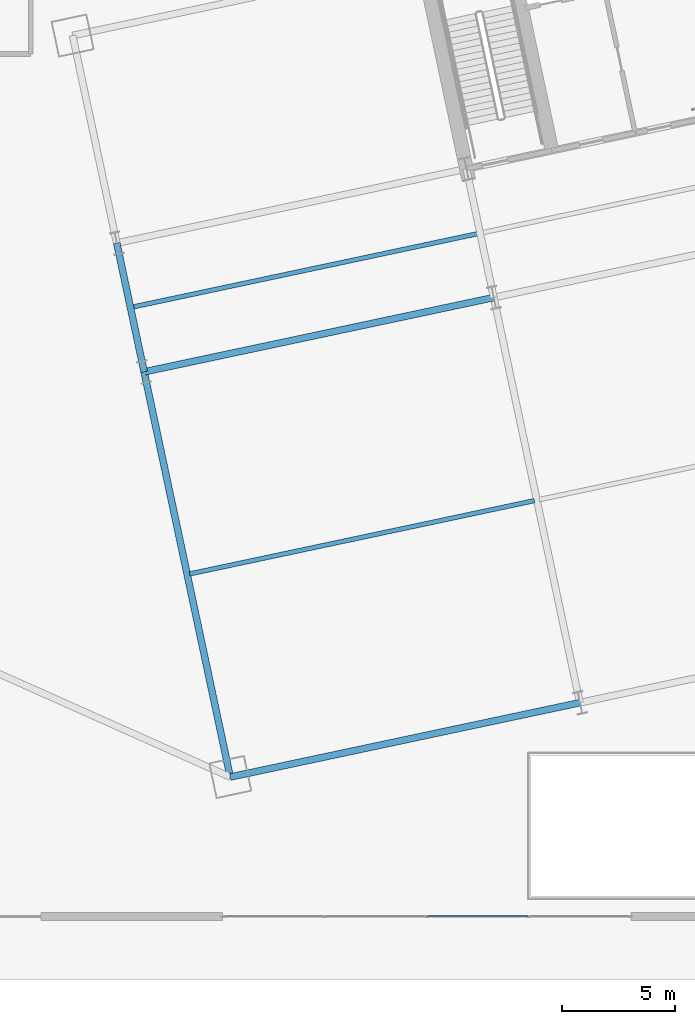
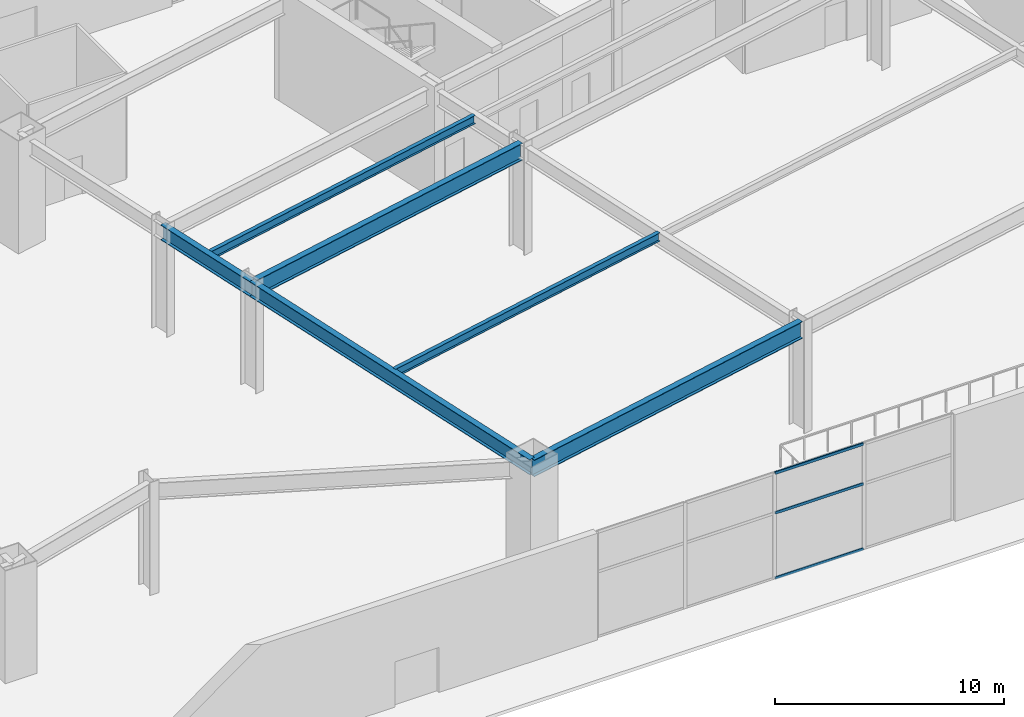
# One storey, part 11 of 30: 6 beams, 3 members, 1 element without a shape of its own.
"""IFC4 building model written with IfcOpenShell, lengths in metres."""

from ifc_helpers import new_model, si_unit, direction, frame, origin, origin_2d, place, context, subcontext, project, spatial, hollow_rectangle, i_section, extrude, material, layer, layer_set, material_profile, profile_set, type_object, element, aggregate, save


model = new_model("IFC4")

# Units and contexts
model_context = context("Model", 3, precision=1e-05, world=origin(), true_north=direction((0.0, 1.0)))
body_context = subcontext(model_context, "Body", "Model", "MODEL_VIEW")
ifc_project = project(units=[si_unit("LENGTHUNIT", "METRE"), si_unit("AREAUNIT", "SQUARE_METRE"), si_unit("VOLUMEUNIT", "CUBIC_METRE"), si_unit("PLANEANGLEUNIT", "RADIAN"), si_unit("MASSUNIT", "GRAM", prefix="KILO")], contexts=[model_context])

# Site, building, storey
site_placement = place(None, origin())
site = spatial("IfcSite", under=ifc_project, at=site_placement, CompositionType="ELEMENT")
building_placement = place(site_placement, origin())
building = spatial("IfcBuilding", under=site, at=building_placement, Name="Haevon Station Towers", CompositionType="ELEMENT")
storey_placement = place(building_placement, origin())
storey = spatial("IfcBuildingStorey", under=building, at=storey_placement, Name="L00", CompositionType="ELEMENT", Elevation=0.0)

# Beams
ifc_material_1 = material(Name="Steel S355", Category="steel")
ifc_material_profile_1 = material_profile(ifc_material_1, i_section(OverallWidth=0.199951171875, OverallDepth=0.449951171875, WebThickness=0.009033203125, FlangeThickness=0.013916015625, at=origin_2d()), Name="H-450x200x9x14")
ifc_profile_set_1 = profile_set([ifc_material_profile_1], Name="Steel S355")
beam_type_1 = type_object("IfcBeamType", Name="BM-J450", PredefinedType="JOIST", material=ifc_profile_set_1)
for number, where, z_axis, x_axis, name in (
    (1, (86.55712890625, 19.591796875, 5.47509765625), (0.978145944065, 0.207919484679, 0.0), (-0.207919484679, 0.978145944065, 0.0), "BM-T2J-L00-01-01"),
    (2, (84.05712890625, 31.35400390625, 5.47509765625), (0.978145944065, 0.207919484679, 0.0), (-0.207919484679, 0.978145944065, 0.0), "BM-T2J-L00-02-01"),
):
    element("IfcBeam", number, at=place(storey_placement, frame(where, z_axis=z_axis, x_axis=x_axis)), inside=storey, type_object=beam_type_1, Name=name, PredefinedType="JOIST", context=body_context, shape_type="SweptSolid", body=[
        extrude(i_section(OverallWidth=0.199951171875, OverallDepth=0.449951171875, WebThickness=0.009033203125, FlangeThickness=0.013916015625, at=origin_2d()), origin(), (0.0, 0.0, 1.0), 15.530029296875),
    ])
ifc_material_profile_2 = material_profile(ifc_material_1, i_section(OverallWidth=0.300048828125, OverallDepth=0.800048828125, WebThickness=0.013916015625, FlangeThickness=0.02587890625, at=origin_2d()), Name="H-800x300x14x26")
ifc_profile_set_2 = profile_set([ifc_material_profile_2], Name="Steel S355")
beam_type_2 = type_object("IfcBeamType", Name="BM-PG800", PredefinedType="BEAM", material=ifc_profile_set_2)
beam_1_placement = place(storey_placement, frame((88.346923828125, 10.643310546875, 5.300048828125), z_axis=(-0.207912673377, 0.978147391884, 0.0), x_axis=(-0.978147391884, -0.207912673377, 0.0)))
element("IfcBeam", 3, at=beam_1_placement, inside=storey, type_object=beam_type_2, Name="BM-T2V-L00-01-01", PredefinedType="BEAM", context=body_context, shape_type="SweptSolid", body=[
    extrude(i_section(OverallWidth=0.300048828125, OverallDepth=0.800048828125, WebThickness=0.013916015625, FlangeThickness=0.02587890625, at=origin_2d()), origin(), (0.0, 0.0, 1.0), 18.250244140625),
])
beam_2_placement = place(storey_placement, frame((84.552490234375, 28.49462890625, 5.300048828125), z_axis=(-0.207944843707, 0.978140553282, 0.0), x_axis=(-0.978140553282, -0.207944843707, 0.0)))
element("IfcBeam", 4, at=beam_2_placement, inside=storey, type_object=beam_type_2, Name="BM-T2V-L00-01-02", PredefinedType="BEAM", context=body_context, shape_type="SweptSolid", body=[
    extrude(i_section(OverallWidth=0.300048828125, OverallDepth=0.800048828125, WebThickness=0.013916015625, FlangeThickness=0.02587890625, at=origin_2d()), origin(), (0.0, 0.0, 1.0), 5.7998046875),
])
ifc_material_profile_3 = material_profile(ifc_material_1, i_section(OverallWidth=0.300048828125, OverallDepth=0.89990234375, WebThickness=0.01611328125, FlangeThickness=0.028076171875, at=origin_2d()), Name="H-900x300x16x28")
ifc_profile_set_3 = profile_set([ifc_material_profile_3], Name="Steel S355")
beam_type_3 = type_object("IfcBeamType", Name="BM-PG900", PredefinedType="BEAM", material=ifc_profile_set_3)
for number, where, z_axis, x_axis, name in (
    (5, (88.346923828125, 10.643310546875, 5.25), (0.978146794194, 0.207915485254, 0.0), (-0.207915485254, 0.978146794194, 0.0), "BM-T2U-L00-01-01"),
    (6, (84.552490234375, 28.49462890625, 5.25), (0.978149946567, 0.207900654232, 0.0), (-0.207900654232, 0.978149946567, 0.0), "BM-T2U-L00-02-01"),
):
    element("IfcBeam", number, at=place(storey_placement, frame(where, z_axis=z_axis, x_axis=x_axis)), inside=storey, type_object=beam_type_3, Name=name, PredefinedType="BEAM", context=body_context, shape_type="SweptSolid", body=[
        extrude(i_section(OverallWidth=0.300048828125, OverallDepth=0.89990234375, WebThickness=0.01611328125, FlangeThickness=0.028076171875, at=origin_2d()), origin(), (0.0, 0.0, 1.0), 15.75),
    ])

# Curtain wall, members
ifc_material_2 = material(Name="Anodised aluminium and Low-E double glazing", Category="aluminium")
ifc_layer = layer(ifc_material_2, 0.179931640625)
ifc_layer_set = layer_set([ifc_layer], Name="Anodised aluminium and Low-E double glazing")
curtain_wall_type = type_object("IfcCurtainWallType", Name="CW-SYS1", PredefinedType="NOTDEFINED", material=ifc_layer_set)
curtain_wall_placement = place(storey_placement, origin())
curtain_wall = element("IfcCurtainWall", 7, at=curtain_wall_placement, inside=storey, type_object=curtain_wall_type, Name="L00 Curtain Wall CW-POD-L00-S1", PredefinedType="NOTDEFINED")
ifc_material_3 = material(Name="Anodised aluminium 6063-T6", Category="aluminium")
ifc_material_profile_4 = material_profile(ifc_material_3, hollow_rectangle(XDim=0.06494140625, YDim=0.139892578125, WallThickness=0.00341796875, at=origin_2d()), Name="CWT-140x65x3.5")
ifc_profile_set_4 = profile_set([ifc_material_profile_4], Name="Anodised aluminium 6063-T6")
member_type = type_object("IfcMemberType", Name="CWT-140", PredefinedType="USERDEFINED", material=ifc_profile_set_4)
member_1_placement = place(storey_placement, frame((101.467529296875, 4.5, 0.032470703125), z_axis=(-1.0, 0.0, 0.0), x_axis=(0.0, -1.0, 0.0)))
member_1 = element("IfcMember", 8, at=member_1_placement, type_object=member_type, Name="CW-SYS1 transom 2.1", ObjectType="TRANSOM", PredefinedType="USERDEFINED", context=body_context, shape_type="SweptSolid", body=[
    extrude(hollow_rectangle(XDim=0.06494140625, YDim=0.139892578125, WallThickness=0.00341796875, at=origin_2d()), origin(), (0.0, 0.0, 1.0), 4.43505859375),
])
member_2_placement = place(storey_placement, frame((101.467529296875, 4.5, 3.5029296875), z_axis=(-1.0, 0.0, 0.0), x_axis=(0.0, -1.0, 0.0)))
member_2 = element("IfcMember", 9, at=member_2_placement, type_object=member_type, Name="CW-SYS1 transom 2.2", ObjectType="TRANSOM", PredefinedType="USERDEFINED", context=body_context, shape_type="SweptSolid", body=[
    extrude(hollow_rectangle(XDim=0.06494140625, YDim=0.139892578125, WallThickness=0.00341796875, at=origin_2d()), origin(), (0.0, 0.0, 1.0), 4.43505859375),
])
member_3_placement = place(storey_placement, frame((101.467529296875, 4.5, 5.617431640625), z_axis=(-1.0, 0.0, 0.0), x_axis=(0.0, -1.0, 0.0)))
member_3 = element("IfcMember", 10, at=member_3_placement, type_object=member_type, Name="CW-SYS1 transom 2.3", ObjectType="TRANSOM", PredefinedType="USERDEFINED", context=body_context, shape_type="SweptSolid", body=[
    extrude(hollow_rectangle(XDim=0.06494140625, YDim=0.139892578125, WallThickness=0.00341796875, at=origin_2d()), origin(), (0.0, 0.0, 1.0), 4.43505859375),
])
aggregate(curtain_wall, [member_1, member_2, member_3])

save(model, "model.ifc")
